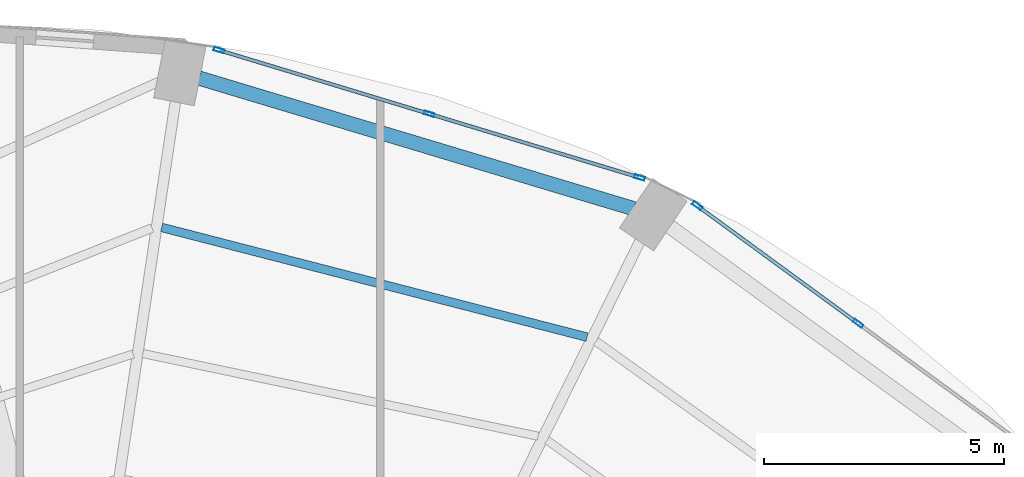
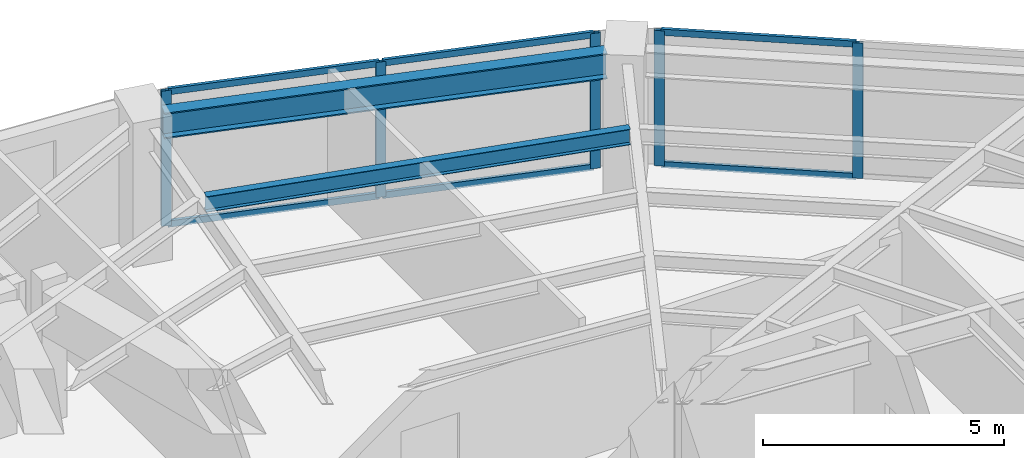
# One storey, part 17 of 24: 11 members, 2 beams, 2 elements without a shape of their own.
"""IFC4 building model written with IfcOpenShell, lengths in metres."""

from ifc_helpers import new_model, si_unit, direction, frame, origin, origin_2d, place, context, subcontext, project, spatial, hollow_rectangle, i_section, extrude, material, layer, layer_set, material_profile, profile_set, type_object, element, aggregate, save


model = new_model("IFC4")

# Units and contexts
model_context = context("Model", 3, precision=1e-05, world=origin(), true_north=direction((0.0, 1.0)))
body_context = subcontext(model_context, "Body", "Model", "MODEL_VIEW")
ifc_project = project(units=[si_unit("LENGTHUNIT", "METRE"), si_unit("AREAUNIT", "SQUARE_METRE"), si_unit("VOLUMEUNIT", "CUBIC_METRE"), si_unit("PLANEANGLEUNIT", "RADIAN"), si_unit("MASSUNIT", "GRAM", prefix="KILO")], contexts=[model_context])

# Site, building, storey
site_placement = place(None, origin())
site = spatial("IfcSite", under=ifc_project, at=site_placement, CompositionType="ELEMENT")
building_placement = place(site_placement, origin())
building = spatial("IfcBuilding", under=site, at=building_placement, Name="Lazwardi Medical Tower", CompositionType="ELEMENT")
storey_placement = place(building_placement, frame((0.0, 0.0, 68.97607421875)))
storey = spatial("IfcBuildingStorey", under=building, at=storey_placement, Name="L17", CompositionType="ELEMENT", Elevation=68.97607421875)

# Beams
ifc_material_1 = material(Name="Steel S355", Category="steel")
ifc_material_profile_1 = material_profile(ifc_material_1, i_section(OverallWidth=0.300048828125, OverallDepth=0.64990234375, WebThickness=0.01611328125, FlangeThickness=0.031005859375, at=origin_2d()), Name="HEB 650")
ifc_profile_set_1 = profile_set([ifc_material_profile_1], Name="Steel S355")
beam_type_1 = type_object("IfcBeamType", Name="BM-RB-Z1", PredefinedType="BEAM", material=ifc_profile_set_1)
beam_1_placement = place(storey_placement, frame((50.77880859375, 47.0048828125, 3.10302734375), z_axis=(-0.957695289269, 0.287784177662, 0.0), x_axis=(-0.287784177662, -0.957695289269, 0.0)))
element("IfcBeam", 1, at=beam_1_placement, inside=storey, type_object=beam_type_1, Name="Ring beam RB-02 B07 L17", PredefinedType="BEAM", context=body_context, shape_type="SweptSolid", body=[
    extrude(i_section(OverallWidth=0.300048828125, OverallDepth=0.64990234375, WebThickness=0.01611328125, FlangeThickness=0.031005859375, at=origin_2d()), origin(), (0.0, 0.0, 1.0), 9.445556640625),
])
ifc_material_profile_2 = material_profile(ifc_material_1, i_section(OverallWidth=0.179931640625, OverallDepth=0.39990234375, WebThickness=0.008544921875, FlangeThickness=0.013427734375, at=origin_2d()), Name="IPE 400")
ifc_profile_set_2 = profile_set([ifc_material_profile_2], Name="Steel S355")
beam_type_2 = type_object("IfcBeamType", Name="BM-SJ-01", PredefinedType="JOIST", material=ifc_profile_set_2)
beam_2_placement = place(storey_placement, frame((49.804931640625, 44.333251953125, 3.22802734375), z_axis=(-0.968316918308, 0.249724539682, 0.0), x_axis=(-0.249724539682, -0.968316918308, 0.0)))
element("IfcBeam", 2, at=beam_2_placement, inside=storey, type_object=beam_type_2, Name="Secondary joist SJ-01 R1 B07 L17", PredefinedType="JOIST", context=body_context, shape_type="SweptSolid", body=[
    extrude(i_section(OverallWidth=0.179931640625, OverallDepth=0.39990234375, WebThickness=0.008544921875, FlangeThickness=0.013427734375, at=origin_2d()), origin(), (0.0, 0.0, 1.0), 9.140869140625),
])

# Curtain wall, members
ifc_material_2 = material(Name="Anodised bronze aluminium and solar control glazing", Category="aluminium")
ifc_layer = layer(ifc_material_2, 0.199951171875)
ifc_layer_set = layer_set([ifc_layer], Name="Anodised bronze aluminium and solar control glazing")
curtain_wall_type = type_object("IfcCurtainWallType", Name="CW-SYS-02", PredefinedType="NOTDEFINED", material=ifc_layer_set)
curtain_wall_1_placement = place(storey_placement, origin())
curtain_wall_1 = element("IfcCurtainWall", 3, at=curtain_wall_1_placement, inside=storey, type_object=curtain_wall_type, Name="L17 Unitised bronze curtain wall CW-02", PredefinedType="NOTDEFINED")
ifc_material_3 = material(Name="Anodised bronze aluminium", Category="aluminium")
ifc_material_profile_3 = material_profile(ifc_material_3, hollow_rectangle(XDim=0.074951171875, YDim=0.219970703125, WallThickness=0.00390625, at=origin_2d()), Name="ALU-MULLION 220x75x4")
ifc_profile_set_3 = profile_set([ifc_material_profile_3], Name="Anodised bronze aluminium")
member_type_1 = type_object("IfcMemberType", Name="CW-MUL-01", PredefinedType="MULLION", material=ifc_profile_set_3)
member_1_placement = place(storey_placement, frame((55.4443359375, 44.619384765625, 0.0), z_axis=(0.0, 0.0, 1.0), x_axis=(-0.590289307341, -0.807191757663, 0.0)))
member_1 = element("IfcMember", 4, at=member_1_placement, type_object=member_type_1, Name="CW-02 mullion 2", PredefinedType="MULLION", context=body_context, shape_type="SweptSolid", body=[
    extrude(hollow_rectangle(XDim=0.074951171875, YDim=0.219970703125, WallThickness=0.00390625, at=origin_2d()), origin(), (0.0, 0.0, 1.0), 3.427978515625),
])
member_2_placement = place(storey_placement, frame((52.0986328125, 47.066162109375, 0.0), z_axis=(0.0, 0.0, 1.0), x_axis=(-0.590289307341, -0.807191757663, 0.0)))
member_2 = element("IfcMember", 5, at=member_2_placement, type_object=member_type_1, Name="CW-02 mullion 3", PredefinedType="MULLION", context=body_context, shape_type="SweptSolid", body=[
    extrude(hollow_rectangle(XDim=0.074951171875, YDim=0.219970703125, WallThickness=0.00390625, at=origin_2d()), origin(), (0.0, 0.0, 1.0), 3.427978515625),
])

curtain_wall_2_placement = place(storey_placement, origin())
curtain_wall_2 = element("IfcCurtainWall", 6, at=curtain_wall_2_placement, inside=storey, type_object=curtain_wall_type, Name="L17 Unitised bronze curtain wall CW-02", PredefinedType="NOTDEFINED")
member_3_placement = place(storey_placement, frame((50.8984375, 47.653076171875, 0.0), z_axis=(0.0, 0.0, 1.0), x_axis=(-0.2898956909, -0.957058247129, 0.0)))
member_3 = element("IfcMember", 7, at=member_3_placement, type_object=member_type_1, Name="CW-02 mullion 1", PredefinedType="MULLION", context=body_context, shape_type="SweptSolid", body=[
    extrude(hollow_rectangle(XDim=0.074951171875, YDim=0.219970703125, WallThickness=0.00390625, at=origin_2d()), origin(), (0.0, 0.0, 1.0), 3.427978515625),
])
member_4_placement = place(storey_placement, frame((46.523193359375, 48.978515625, 0.0), z_axis=(0.0, 0.0, 1.0), x_axis=(-0.2898956909, -0.957058247129, 0.0)))
member_4 = element("IfcMember", 8, at=member_4_placement, type_object=member_type_1, Name="CW-02 mullion 2", PredefinedType="MULLION", context=body_context, shape_type="SweptSolid", body=[
    extrude(hollow_rectangle(XDim=0.074951171875, YDim=0.219970703125, WallThickness=0.00390625, at=origin_2d()), origin(), (0.0, 0.0, 1.0), 3.427978515625),
])
member_5_placement = place(storey_placement, frame((42.14794921875, 50.3037109375, 0.0), z_axis=(0.0, 0.0, 1.0), x_axis=(-0.2898956909, -0.957058247129, 0.0)))
member_5 = element("IfcMember", 9, at=member_5_placement, type_object=member_type_1, Name="CW-02 mullion 3", PredefinedType="MULLION", context=body_context, shape_type="SweptSolid", body=[
    extrude(hollow_rectangle(XDim=0.074951171875, YDim=0.219970703125, WallThickness=0.00390625, at=origin_2d()), origin(), (0.0, 0.0, 1.0), 3.427978515625),
])

# Member
ifc_material_profile_4 = material_profile(ifc_material_3, hollow_rectangle(XDim=0.074951171875, YDim=0.159912109375, WallThickness=0.00390625, at=origin_2d()), Name="ALU-TRANSOM 160x75x4")
ifc_profile_set_4 = profile_set([ifc_material_profile_4], Name="Anodised bronze aluminium")
member_type_2 = type_object("IfcMemberType", Name="CW-TRN-01", PredefinedType="USERDEFINED", material=ifc_profile_set_4)
member_6_placement = place(storey_placement, frame((55.4140625, 44.641357421875, 0.037353515625), z_axis=(-0.807169053975, 0.590320352271, 0.0), x_axis=(-0.590320352271, -0.807169053975, 0.0)))
member_6 = element("IfcMember", 10, at=member_6_placement, type_object=member_type_2, Name="CW-02 transom 2.1", ObjectType="TRANSOM", PredefinedType="USERDEFINED", context=body_context, shape_type="SweptSolid", body=[
    extrude(hollow_rectangle(XDim=0.074951171875, YDim=0.159912109375, WallThickness=0.00390625, at=origin_2d()), origin(), (0.0, 0.0, 1.0), 4.070068359375),
])

member_7_placement = place(storey_placement, frame((55.4140625, 44.641357421875, 3.390380859375), z_axis=(-0.807169053975, 0.590320352271, 0.0), x_axis=(-0.590320352271, -0.807169053975, 0.0)))
member_7 = element("IfcMember", 11, at=member_7_placement, type_object=member_type_2, Name="CW-02 transom 2.2", ObjectType="TRANSOM", PredefinedType="USERDEFINED", context=body_context, shape_type="SweptSolid", body=[
    extrude(hollow_rectangle(XDim=0.074951171875, YDim=0.159912109375, WallThickness=0.00390625, at=origin_2d()), origin(), (0.0, 0.0, 1.0), 4.070068359375),
])

aggregate(curtain_wall_1, [member_1, member_2, member_6, member_7])

member_8_placement = place(storey_placement, frame((50.862548828125, 47.6640625, 0.037353515625), z_axis=(-0.957062297904, 0.289882317383, 0.0), x_axis=(-0.289882317383, -0.957062297904, 0.0)))
member_8 = element("IfcMember", 12, at=member_8_placement, type_object=member_type_2, Name="CW-02 transom 1.1", ObjectType="TRANSOM", PredefinedType="USERDEFINED", context=body_context, shape_type="SweptSolid", body=[
    extrude(hollow_rectangle(XDim=0.074951171875, YDim=0.159912109375, WallThickness=0.00390625, at=origin_2d()), origin(), (0.0, 0.0, 1.0), 4.49658203125),
])

member_9_placement = place(storey_placement, frame((50.862548828125, 47.6640625, 3.390380859375), z_axis=(-0.957062297904, 0.289882317383, 0.0), x_axis=(-0.289882317383, -0.957062297904, 0.0)))
member_9 = element("IfcMember", 13, at=member_9_placement, type_object=member_type_2, Name="CW-02 transom 1.2", ObjectType="TRANSOM", PredefinedType="USERDEFINED", context=body_context, shape_type="SweptSolid", body=[
    extrude(hollow_rectangle(XDim=0.074951171875, YDim=0.159912109375, WallThickness=0.00390625, at=origin_2d()), origin(), (0.0, 0.0, 1.0), 4.49658203125),
])

member_10_placement = place(storey_placement, frame((46.4873046875, 48.9892578125, 0.037353515625), z_axis=(-0.957047233423, 0.28993204893, 0.0), x_axis=(-0.28993204893, -0.957047233423, 0.0)))
member_10 = element("IfcMember", 14, at=member_10_placement, type_object=member_type_2, Name="CW-02 transom 2.1", ObjectType="TRANSOM", PredefinedType="USERDEFINED", context=body_context, shape_type="SweptSolid", body=[
    extrude(hollow_rectangle(XDim=0.074951171875, YDim=0.159912109375, WallThickness=0.00390625, at=origin_2d()), origin(), (0.0, 0.0, 1.0), 4.49658203125),
])

member_11_placement = place(storey_placement, frame((46.4873046875, 48.9892578125, 3.390380859375), z_axis=(-0.957047233423, 0.28993204893, 0.0), x_axis=(-0.28993204893, -0.957047233423, 0.0)))
member_11 = element("IfcMember", 15, at=member_11_placement, type_object=member_type_2, Name="CW-02 transom 2.2", ObjectType="TRANSOM", PredefinedType="USERDEFINED", context=body_context, shape_type="SweptSolid", body=[
    extrude(hollow_rectangle(XDim=0.074951171875, YDim=0.159912109375, WallThickness=0.00390625, at=origin_2d()), origin(), (0.0, 0.0, 1.0), 4.49658203125),
])

aggregate(curtain_wall_2, [member_3, member_4, member_5, member_8, member_9, member_10, member_11])

save(model, "model.ifc")
